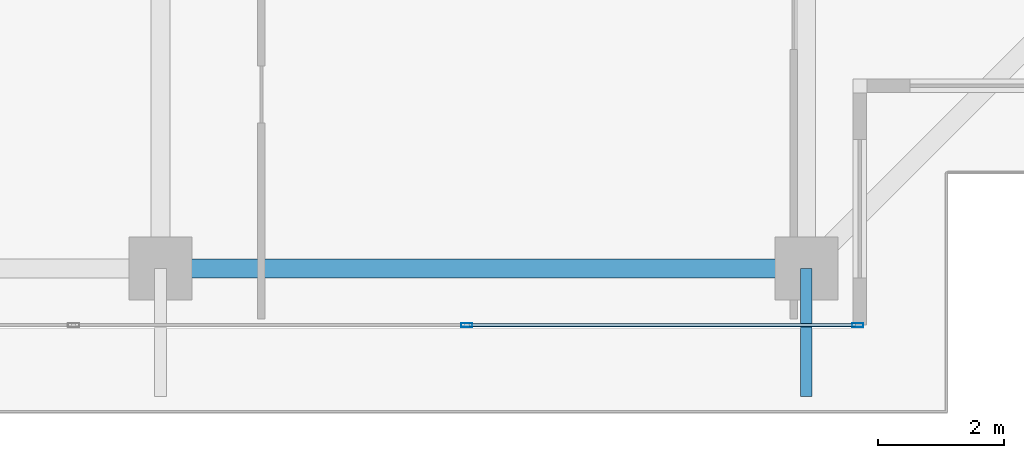
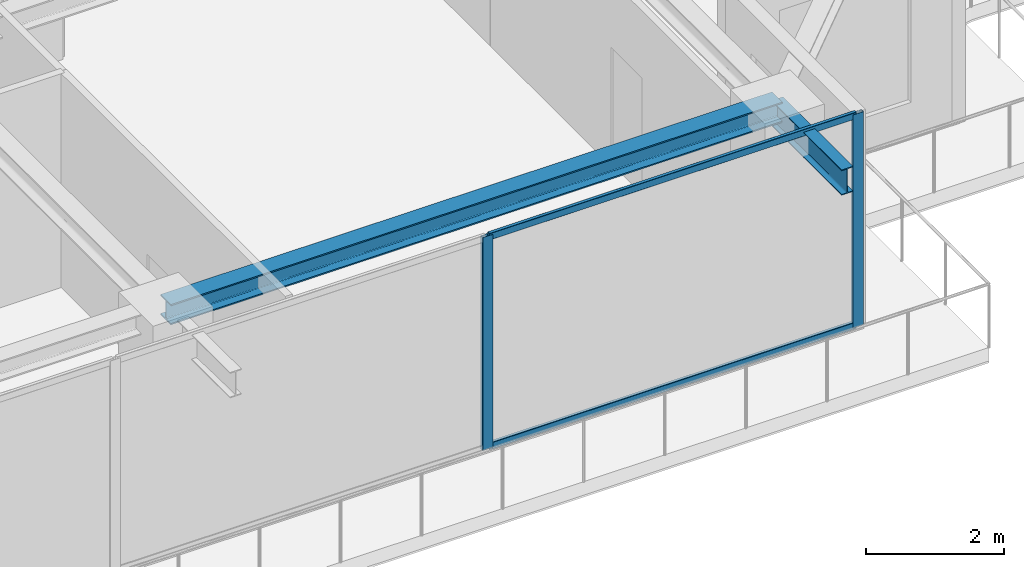
# One storey, part 12 of 39: 4 members, 2 beams, 1 element without a shape of its own.
"""IFC4 building model written with IfcOpenShell, lengths in metres."""

from ifc_helpers import new_model, si_unit, direction, frame, origin, origin_2d, place, context, subcontext, project, spatial, hollow_rectangle, i_section, extrude, source, transform, mapped, material, layer, layer_set, material_profile, profile_set, type_object, element, aggregate, save


model = new_model("IFC4")

# Units and contexts
model_context = context("Model", 3, precision=1e-05, world=origin(), true_north=direction((0.0, 1.0)))
body_context = subcontext(model_context, "Body", "Model", "MODEL_VIEW")
ifc_project = project(units=[si_unit("LENGTHUNIT", "METRE"), si_unit("AREAUNIT", "SQUARE_METRE"), si_unit("VOLUMEUNIT", "CUBIC_METRE"), si_unit("PLANEANGLEUNIT", "RADIAN"), si_unit("MASSUNIT", "GRAM", prefix="KILO")], contexts=[model_context])

# Site, building, storey
site_placement = place(None, origin())
site = spatial("IfcSite", under=ifc_project, at=site_placement, CompositionType="ELEMENT")
building_placement = place(site_placement, origin())
building = spatial("IfcBuilding", under=site, at=building_placement, Name="Serunith Strait Residences", CompositionType="ELEMENT")
storey_placement = place(building_placement, frame((0.0, 0.0, 329.89990234375)))
storey = spatial("IfcBuildingStorey", under=building, at=storey_placement, Name="L82", CompositionType="ELEMENT", Elevation=329.89990234375)

# Beams
ifc_material_1 = material(Name="Steel S355J2", Category="steel")
ifc_material_profile_1 = material_profile(ifc_material_1, i_section(OverallWidth=0.300048828125, OverallDepth=0.360107421875, WebThickness=0.012451171875, FlangeThickness=0.0224609375, FilletRadius=0.027099609375, at=origin_2d()), Name="HEB 360")
ifc_profile_set_1 = profile_set([ifc_material_profile_1], Name="Steel S355J2")
beam_type_1 = type_object("IfcBeamType", Name="BM-HEB360", PredefinedType="BEAM", material=ifc_profile_set_1)
shared_shape_1 = source(origin(), body_context, "Body", "SweptSolid", [
    extrude(i_section(OverallWidth=0.300048828125, OverallDepth=0.360107421875, WebThickness=0.012451171875, FlangeThickness=0.0224609375, FilletRadius=0.027099609375, at=origin_2d()), origin(), (0.0, 0.0, 1.0), 10.25),
])
beam_1_placement = place(storey_placement, frame((36.89990234375, 3.300048828125, 3.607177734375), z_axis=(1.0, 0.0, 0.0), x_axis=(0.0, 1.0, 0.0)))
element("IfcBeam", 1, at=beam_1_placement, inside=storey, type_object=beam_type_1, Name="L82 Perimeter Ring Beam 03", PredefinedType="BEAM", context=body_context, shape_type="MappedRepresentation", body=[
    mapped(shared_shape_1, transform((0.0, 0.0, 0.0), scale=1.0)),
])
ifc_material_profile_2 = material_profile(ifc_material_1, i_section(OverallWidth=0.18994140625, OverallDepth=0.449951171875, WebThickness=0.009521484375, FlangeThickness=0.0146484375, FilletRadius=0.02099609375, at=origin_2d()), Name="IPE 450")
ifc_profile_set_2 = profile_set([ifc_material_profile_2], Name="Steel S355J2")
beam_type_2 = type_object("IfcBeamType", Name="BM-IPE450", PredefinedType="JOIST", material=ifc_profile_set_2)
shared_shape_2 = source(origin(), body_context, "Body", "SweptSolid", [
    extrude(i_section(OverallWidth=0.18994140625, OverallDepth=0.449951171875, WebThickness=0.009521484375, FlangeThickness=0.0146484375, FilletRadius=0.02099609375, at=origin_2d()), origin(), (0.0, 0.0, 1.0), 2.030029296875),
])
beam_2_placement = place(storey_placement, frame((47.14990234375, 3.300048828125, 3.531982421875), z_axis=(0.0, -1.0, 0.0), x_axis=(1.0, 0.0, 0.0)))
element("IfcBeam", 2, at=beam_2_placement, inside=storey, type_object=beam_type_2, Name="L83 Cantilevered Balcony Rib TC-S4", PredefinedType="JOIST", context=body_context, shape_type="MappedRepresentation", body=[
    mapped(shared_shape_2, transform((0.0, 0.0, 0.0), scale=1.0)),
])

# Curtain wall, members
ifc_material_2 = material(Name="Brushed Stainless-Silver Aluminium", Category="aluminium")
ifc_layer = layer(ifc_material_2, 0.199951171875, Name="Brushed Stainless-Silver Aluminium")
ifc_layer_set = layer_set([ifc_layer], Name="Brushed Stainless-Silver Aluminium")
curtain_wall_type = type_object("IfcCurtainWallType", Name="CW-SYS5", PredefinedType="NOTDEFINED", material=ifc_layer_set)
curtain_wall_placement = place(storey_placement, origin())
curtain_wall = element("IfcCurtainWall", 3, at=curtain_wall_placement, inside=storey, type_object=curtain_wall_type, Name="L82 S Unitised Fritted Curtain Wall", PredefinedType="NOTDEFINED")
ifc_material_profile_3 = material_profile(ifc_material_2, hollow_rectangle(XDim=0.06494140625, YDim=0.179931640625, WallThickness=0.00341796875, InnerFilletRadius=0.00537109375, OuterFilletRadius=0.0087890625, at=origin_2d()), Name="ALU 180x65x3.5")
ifc_profile_set_3 = profile_set([ifc_material_profile_3], Name="Brushed Stainless-Silver Aluminium")
member_type_1 = type_object("IfcMemberType", Name="CW-SYS5-MULL", PredefinedType="MULLION", material=ifc_profile_set_3)
shared_shape_3 = source(origin(), body_context, "Body", "SweptSolid", [
    extrude(hollow_rectangle(XDim=0.06494140625, YDim=0.179931640625, WallThickness=0.00341796875, InnerFilletRadius=0.00537109375, OuterFilletRadius=0.0087890625, at=origin_2d()), origin(), (0.0, 0.0, 1.0), 3.775146484375),
])
member_1_placement = place(storey_placement, frame((41.760009765625, 2.39990234375, 0.0), z_axis=(0.0, 0.0, 1.0), x_axis=(0.0, 1.0, 0.0)))
member_1 = element("IfcMember", 4, at=member_1_placement, type_object=member_type_1, Name="CW-5 mullion 5", PredefinedType="MULLION", context=body_context, shape_type="MappedRepresentation", body=[
    mapped(shared_shape_3, transform((0.0, 0.0, 0.0), scale=1.0)),
])
member_2_placement = place(storey_placement, frame((47.967529296875, 2.39990234375, 0.0), z_axis=(0.0, 0.0, 1.0), x_axis=(0.0, 1.0, 0.0)))
member_2 = element("IfcMember", 5, at=member_2_placement, type_object=member_type_1, Name="CW-5 mullion 6", PredefinedType="MULLION", context=body_context, shape_type="MappedRepresentation", body=[
    mapped(shared_shape_3, transform((0.0, 0.0, 0.0), scale=1.0)),
])
ifc_material_profile_4 = material_profile(ifc_material_2, hollow_rectangle(XDim=0.06005859375, YDim=0.1201171875, WallThickness=0.00341796875, InnerFilletRadius=0.00537109375, OuterFilletRadius=0.0087890625, at=origin_2d()), Name="ALU 120x60x3.5")
ifc_profile_set_4 = profile_set([ifc_material_profile_4], Name="Brushed Stainless-Silver Aluminium")
member_type_2 = type_object("IfcMemberType", Name="CW-SYS5-TRAN", PredefinedType="USERDEFINED", material=ifc_profile_set_4)
shared_shape_4 = source(origin(), body_context, "Body", "SweptSolid", [
    extrude(hollow_rectangle(XDim=0.06005859375, YDim=0.1201171875, WallThickness=0.00341796875, InnerFilletRadius=0.00537109375, OuterFilletRadius=0.0087890625, at=origin_2d()), origin(), (0.0, 0.0, 1.0), 6.142578125),
])
member_3_placement = place(storey_placement, frame((41.79248046875, 2.39990234375, 0.030029296875), z_axis=(1.0, 0.0, 0.0), x_axis=(0.0, 1.0, 0.0)))
member_3 = element("IfcMember", 6, at=member_3_placement, type_object=member_type_2, Name="CW-5 transom 5.1", ObjectType="TRANSOM", PredefinedType="USERDEFINED", context=body_context, shape_type="MappedRepresentation", body=[
    mapped(shared_shape_4, transform((0.0, 0.0, 0.0), scale=1.0)),
])
member_4_placement = place(storey_placement, frame((41.79248046875, 2.39990234375, 3.7451171875), z_axis=(1.0, 0.0, 0.0), x_axis=(0.0, 1.0, 0.0)))
member_4 = element("IfcMember", 7, at=member_4_placement, type_object=member_type_2, Name="CW-5 transom 5.2", ObjectType="TRANSOM", PredefinedType="USERDEFINED", context=body_context, shape_type="MappedRepresentation", body=[
    mapped(shared_shape_4, transform((0.0, 0.0, 0.0), scale=1.0)),
])
aggregate(curtain_wall, [member_1, member_2, member_3, member_4])

save(model, "model.ifc")
